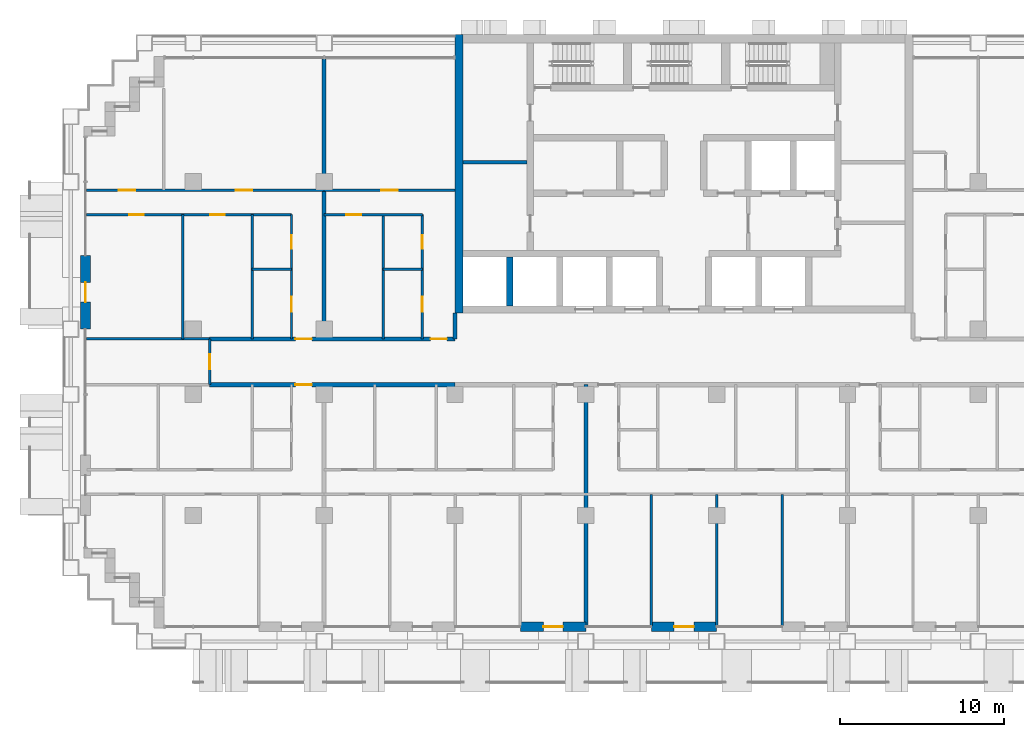
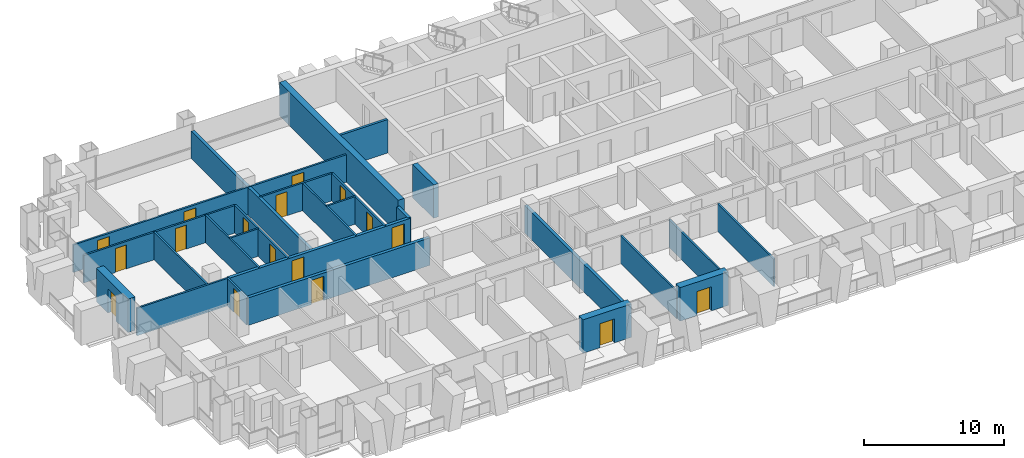
# One storey, part 10 of 19: 27 walls, 17 doors, 17 openings.
"""IFC4 building model written with IfcOpenShell, lengths in metres."""

import ifcopenshell
import ifcopenshell.guid

model = None  # the IFC model being written
_history = None  # IfcOwnerHistory: only IFC2X3 demands one
_inside = {}  # id of a spatial element -> (the spatial element, [elements in it])
_under = {}  # id of a project, library or spatial element -> (it, [spatial elements below it])
_declared = {}  # id of a project -> (the project, [libraries it declares])
_typed = {}  # id of a type object -> (the type object, [elements of that type])
_made_of = {}  # id of a material, layer set ... -> (it, [elements and type objects made of it])


def new_model(schema):
    """Start an empty IFC model of exactly this schema.

    Asked for "IFC4X3", IfcOpenShell would pick the latest addendum, in which some entities
    have other attributes; the version numbers below select the first issue.
    IFC2X3 requires an IfcOwnerHistory on every rooted entity: one is made here for all.
    """
    global model, _history
    if schema == "IFC4X3":
        model = ifcopenshell.file(schema_version=(4, 3, 0, 0))
    else:
        model = ifcopenshell.file(schema=schema)
    _inside.clear()
    _under.clear()
    _declared.clear()
    _typed.clear()
    _made_of.clear()
    _history = None
    if model.schema == "IFC2X3":
        org = make("IfcOrganization", Name="unknown")
        user = make(
            "IfcPersonAndOrganization",
            ThePerson=make("IfcPerson", FamilyName="unknown"),
            TheOrganization=org,
        )
        app = make(
            "IfcApplication",
            ApplicationDeveloper=org,
            Version="unknown",
            ApplicationFullName="unknown",
            ApplicationIdentifier="unknown",
        )
        _history = make(
            "IfcOwnerHistory",
            OwningUser=user,
            OwningApplication=app,
            ChangeAction="ADDED",
            CreationDate=0,
        )
    return model


def make(cls, **values):
    """One entity of the class cls with the attributes given. An attribute that is None is left unset."""
    return model.create_entity(
        cls, **{name: value for name, value in values.items() if value is not None}
    )


def rooted(cls, **values):
    """An entity with a GlobalId (a new one), such as an element, a storey or a relation."""
    return make(cls, GlobalId=ifcopenshell.guid.new(), OwnerHistory=_history, **values)


def si_unit(unit_type, name, prefix=None):
    """IfcSIUnit, for example si_unit("LENGTHUNIT", "METRE", prefix="MILLI")."""
    return make("IfcSIUnit", UnitType=unit_type, Prefix=prefix, Name=name)


def assignment(units):
    """IfcUnitAssignment: the units of a project."""
    return None if units is None else make("IfcUnitAssignment", Units=units)


def point(xyz):
    """IfcCartesianPoint."""
    return None if xyz is None else make("IfcCartesianPoint", Coordinates=xyz)


def direction(xyz):
    """IfcDirection."""
    return None if xyz is None else make("IfcDirection", DirectionRatios=xyz)


def frame(location, z_axis=None, x_axis=None):
    """IfcAxis2Placement3D, a coordinate frame: its origin and axes. An axis left out is left unset."""
    return make(
        "IfcAxis2Placement3D",
        Location=point(location),
        Axis=direction(z_axis),
        RefDirection=direction(x_axis),
    )


def frame_2d(location, x_axis=None):
    """IfcAxis2Placement2D, a coordinate frame in the plane: its origin and x axis."""
    return make(
        "IfcAxis2Placement2D", Location=point(location), RefDirection=direction(x_axis)
    )


def origin():
    """The frame at (0, 0, 0) with its axes left unset."""
    return frame((0.0, 0.0, 0.0))


def place(relative_to, where):
    """IfcLocalPlacement: puts the frame where relative to a parent placement (None: the world)."""
    return make(
        "IfcLocalPlacement", PlacementRelTo=relative_to, RelativePlacement=where
    )


def context(
    kind, dimensions, precision=None, world=None, true_north=None, identifier=None
):
    """IfcGeometricRepresentationContext, for example the 3D "Model" context."""
    return make(
        "IfcGeometricRepresentationContext",
        ContextIdentifier=identifier,
        ContextType=kind,
        CoordinateSpaceDimension=dimensions,
        Precision=precision,
        WorldCoordinateSystem=world,
        TrueNorth=true_north,
    )


def subcontext(parent, identifier, kind, view, scale=None):
    """IfcGeometricRepresentationSubContext, for example "Body" below "Model"."""
    return make(
        "IfcGeometricRepresentationSubContext",
        ContextIdentifier=identifier,
        ContextType=kind,
        ParentContext=parent,
        TargetScale=scale,
        TargetView=view,
    )


def project(units=None, contexts=None):
    """IfcProject with its units and contexts."""
    return rooted(
        "IfcProject",
        Name="project",
        RepresentationContexts=contexts,
        UnitsInContext=assignment(units),
    )


def spatial(cls, under=None, at=None, **own):
    """A site, building, storey or space (cls), placed at a placement, below another one or the project."""
    s = rooted(cls, ObjectPlacement=at, **own)
    if under is not None:
        _under.setdefault(under.id(), (under, []))[1].append(s)
    return s


def profile(cls, at=None, kind="AREA", **sizes):
    """A parametric profile (cls). Its sizes go by their IFC names, for example OverallWidth=200.0."""
    return make(cls, ProfileType=kind, Position=at, **sizes)


def rectangle(**sizes):
    """IfcRectangleProfileDef."""
    return profile("IfcRectangleProfileDef", **sizes)


def extrude(swept, where, along, depth):
    """IfcExtrudedAreaSolid: the profile swept, set in the frame where, extruded along a direction by depth."""
    return make(
        "IfcExtrudedAreaSolid",
        SweptArea=swept,
        Position=where,
        ExtrudedDirection=direction(along),
        Depth=depth,
    )


def shape(context_of_items, identifier, shape_type, items):
    """IfcShapeRepresentation: the items that make up one representation, for example the "Body"."""
    return make(
        "IfcShapeRepresentation",
        ContextOfItems=context_of_items,
        RepresentationIdentifier=identifier,
        RepresentationType=shape_type,
        Items=items,
    )


def material(Name=None, Category=None):
    """IfcMaterial."""
    return make("IfcMaterial", Name=Name, Category=Category)


def layer(
    of_material, thickness, ventilated=None, Name=None, Category=None, Priority=None
):
    """IfcMaterialLayer: one layer of a wall or slab, of a material (None: an air gap)."""
    return make(
        "IfcMaterialLayer",
        Material=of_material,
        LayerThickness=thickness,
        IsVentilated=ventilated,
        Name=Name,
        Category=Category,
        Priority=Priority,
    )


def layer_set(layers, Name=None):
    """IfcMaterialLayerSet."""
    return make("IfcMaterialLayerSet", MaterialLayers=layers, LayerSetName=Name)


def made_of(thing, what):
    """Note that an element or type object is made of a material, layer set ...; save() writes the relation."""
    if what is not None:
        _made_of.setdefault(what.id(), (what, []))[1].append(thing)
    return thing


def type_object(cls, material=None, **own):
    """A type object (cls), such as IfcWallType, which elements share."""
    return made_of(rooted(cls, **own), material)


def element(
    cls,
    number,
    at=None,
    inside=None,
    cuts=None,
    type_object=None,
    material=None,
    context=None,
    identifier="Body",
    shape_type=None,
    held_by="IfcProductDefinitionShape",
    body=None,
    shapes=None,
    **own,
):
    """One element of the class cls, such as IfcWall. Its Tag is "e" and its number.

    at: its placement. inside: the storey or other place that contains it. cuts: it is an
    opening in that element (IfcRelVoidsElement). A single representation is given by context,
    identifier, shape_type and body (its items); several are given by shapes. held_by: the class
    of the entity that holds the representations. save() writes the other relations.
    """
    e = rooted(cls, Tag="e%d" % number, ObjectPlacement=at, **own)
    if body is not None:
        shapes = [shape(context, identifier, shape_type, body)]
    if shapes is not None:
        e.Representation = make(held_by, Representations=shapes)
    if inside is not None:
        _inside.setdefault(inside.id(), (inside, []))[1].append(e)
    if cuts is not None:
        rooted(
            "IfcRelVoidsElement", RelatingBuildingElement=cuts, RelatedOpeningElement=e
        )
    if type_object is not None:
        _typed.setdefault(type_object.id(), (type_object, []))[1].append(e)
    return made_of(e, material)


def fill(opening, filler):
    """IfcRelFillsElement: the door or window that sits in an opening."""
    return rooted(
        "IfcRelFillsElement",
        RelatingOpeningElement=opening,
        RelatedBuildingElement=filler,
    )


def aggregate(whole, parts):
    """IfcRelAggregates: a whole, such as a stair, and the parts it consists of."""
    return rooted("IfcRelAggregates", RelatingObject=whole, RelatedObjects=parts)


def save(model, path):
    """Write the relations noted so far, then the file.

    IfcRelAggregates (storeys below a building ...), IfcRelContainedInSpatialStructure (elements
    in a storey), IfcRelDefinesByType, IfcRelAssociatesMaterial and IfcRelDeclares: one each for
    every whole, place, type object, material and project.
    """
    for whole, parts in _under.values():
        aggregate(whole, parts)
    for where, things in _inside.values():
        rooted(
            "IfcRelContainedInSpatialStructure",
            RelatedElements=things,
            RelatingStructure=where,
        )
    for kind, things in _typed.values():
        rooted("IfcRelDefinesByType", RelatedObjects=things, RelatingType=kind)
    for what, things in _made_of.values():
        rooted("IfcRelAssociatesMaterial", RelatedObjects=things, RelatingMaterial=what)
    for by, libraries in _declared.values():
        rooted("IfcRelDeclares", RelatingContext=by, RelatedDefinitions=libraries)
    model.write(path)


model = new_model("IFC4")

# Units and contexts
model_context = context("Model", 3, precision=1e-05, world=origin(), true_north=direction((0.0, 1.0)))
body_context = subcontext(model_context, "Body", "Model", "MODEL_VIEW")
ifc_project = project(units=[si_unit("LENGTHUNIT", "METRE"), si_unit("AREAUNIT", "SQUARE_METRE"), si_unit("VOLUMEUNIT", "CUBIC_METRE"), si_unit("PLANEANGLEUNIT", "RADIAN"), si_unit("MASSUNIT", "GRAM", prefix="KILO")], contexts=[model_context])

# Site, building, storey
site_placement = place(None, origin())
site = spatial("IfcSite", under=ifc_project, at=site_placement, CompositionType="ELEMENT")
building_placement = place(site_placement, origin())
building = spatial("IfcBuilding", under=site, at=building_placement, Name="Vidyagriha Tower", CompositionType="ELEMENT")
storey_placement = place(building_placement, frame((0.0, 0.0, 57.60009765625)))
storey = spatial("IfcBuildingStorey", under=building, at=storey_placement, Name="L15", CompositionType="ELEMENT", Elevation=57.60009765625)

# Wall, opening, door
ifc_material_1 = material(Name="Precast concrete C40/50 with brick facing", Category="concrete")
ifc_layer_1 = layer(ifc_material_1, 0.60009765625)
ifc_layer_set_1 = layer_set([ifc_layer_1], Name="Precast concrete C40/50 with brick facing")
wall_type_1 = type_object("IfcWallType", Name="Brick-faced precast wall 600", PredefinedType="STANDARD", material=ifc_layer_set_1)
wall_1_placement = place(storey_placement, frame((-36.60009765625, 6.5, 0.0), z_axis=(0.0, 0.0, 1.0), x_axis=(0.0, -1.0, 0.0)))
wall_1 = element("IfcWall", 1, at=wall_1_placement, inside=storey, type_object=wall_type_1, Name="Brick door bay wall L15 R16.3", PredefinedType="STANDARD", context=body_context, shape_type="SweptSolid", body=[
    extrude(rectangle(XDim=4.5, YDim=0.60009765625, at=frame_2d((2.25, 0.0))), origin(), (0.0, 0.0, 1.0), 2.919921875),
])
opening_1_placement = place(wall_1_placement, frame((1.64990234375, 0.0, 0.0)))
opening_1 = element("IfcOpeningElement", 2, at=opening_1_placement, cuts=wall_1, Name="Opening D15-82", PredefinedType="OPENING", context=body_context, shape_type="SweptSolid", body=[
    extrude(rectangle(XDim=1.199951171875, YDim=2.10009765625, at=frame_2d((0.60009765625, 1.050048828125))), frame((0.0, 0.31005859375, 0.0), z_axis=(0.0, -1.0, 0.0), x_axis=(1.0, 0.0, 0.0)), (0.0, 0.0, 1.0), 0.6201171875),
])
ifc_material_2 = material(Name="Aluminium framed glazed sliding door", Category="aluminium")
door_type_1 = type_object("IfcDoorType", Name="Balcony sliding door 1200x2100", OperationType="NOTDEFINED", PredefinedType="DOOR", material=ifc_material_2)
door_1_placement = place(opening_1_placement, origin())
door_1 = element("IfcDoor", 3, at=door_1_placement, inside=storey, type_object=door_type_1, Name="Door D15-82", OperationType="SLIDING_TO_LEFT", OverallHeight=2.10009765625, OverallWidth=1.199951171875, PredefinedType="DOOR", context=body_context, shape_type="SweptSolid", body=[
    extrude(rectangle(XDim=1.199951171875, YDim=2.10009765625, at=frame_2d((0.60009765625, 1.050048828125))), frame((0.0, 0.02490234375, 0.0), z_axis=(0.0, -1.0, 0.0), x_axis=(1.0, 0.0, 0.0)), (0.0, 0.0, 1.0), 0.050048828125),
])
fill(opening_1, door_1)

wall_2_placement = place(storey_placement, frame((-10.0, -16.199951171875, 0.0)))
wall_2 = element("IfcWall", 4, at=wall_2_placement, inside=storey, type_object=wall_type_1, Name="Brick door bay wall L15 R23.7", PredefinedType="STANDARD", context=body_context, shape_type="SweptSolid", body=[
    extrude(rectangle(XDim=4.0, YDim=0.60009765625, at=frame_2d((2.0, 0.0))), origin(), (0.0, 0.0, 1.0), 2.919921875),
])
opening_2_placement = place(wall_2_placement, frame((1.39990234375, 0.0, 0.0)))
opening_2 = element("IfcOpeningElement", 5, at=opening_2_placement, cuts=wall_2, Name="Opening D15-86", PredefinedType="OPENING", context=body_context, shape_type="SweptSolid", body=[
    extrude(rectangle(XDim=1.199951171875, YDim=2.10009765625, at=frame_2d((0.60009765625, 1.050048828125))), frame((0.0, 0.31005859375, 0.0), z_axis=(0.0, -1.0, 0.0), x_axis=(1.0, 0.0, 0.0)), (0.0, 0.0, 1.0), 0.6201171875),
])
door_2_placement = place(opening_2_placement, origin())
door_2 = element("IfcDoor", 6, at=door_2_placement, inside=storey, type_object=door_type_1, Name="Door D15-86", OperationType="SLIDING_TO_LEFT", OverallHeight=2.10009765625, OverallWidth=1.199951171875, PredefinedType="DOOR", context=body_context, shape_type="SweptSolid", body=[
    extrude(rectangle(XDim=1.199951171875, YDim=2.10009765625, at=frame_2d((0.60009765625, 1.050048828125))), frame((0.0, 0.02490234375, 0.0), z_axis=(0.0, -1.0, 0.0), x_axis=(1.0, 0.0, 0.0)), (0.0, 0.0, 1.0), 0.050048828125),
])
fill(opening_2, door_2)

wall_3_placement = place(storey_placement, frame((-2.0, -16.199951171875, 0.0)))
wall_3 = element("IfcWall", 7, at=wall_3_placement, inside=storey, type_object=wall_type_1, Name="Brick door bay wall L15 R23.9", PredefinedType="STANDARD", context=body_context, shape_type="SweptSolid", body=[
    extrude(rectangle(XDim=4.0, YDim=0.60009765625, at=frame_2d((2.0, 0.0))), origin(), (0.0, 0.0, 1.0), 2.919921875),
])
opening_3_placement = place(wall_3_placement, frame((1.39990234375, 0.0, 0.0)))
opening_3 = element("IfcOpeningElement", 8, at=opening_3_placement, cuts=wall_3, Name="Opening D15-87", PredefinedType="OPENING", context=body_context, shape_type="SweptSolid", body=[
    extrude(rectangle(XDim=1.199951171875, YDim=2.10009765625, at=frame_2d((0.60009765625, 1.050048828125))), frame((0.0, 0.31005859375, 0.0), z_axis=(0.0, -1.0, 0.0), x_axis=(1.0, 0.0, 0.0)), (0.0, 0.0, 1.0), 0.6201171875),
])
door_3_placement = place(opening_3_placement, origin())
door_3 = element("IfcDoor", 9, at=door_3_placement, inside=storey, type_object=door_type_1, Name="Door D15-87", OperationType="SLIDING_TO_LEFT", OverallHeight=2.10009765625, OverallWidth=1.199951171875, PredefinedType="DOOR", context=body_context, shape_type="SweptSolid", body=[
    extrude(rectangle(XDim=1.199951171875, YDim=2.10009765625, at=frame_2d((0.60009765625, 1.050048828125))), frame((0.0, 0.02490234375, 0.0), z_axis=(0.0, -1.0, 0.0), x_axis=(1.0, 0.0, 0.0)), (0.0, 0.0, 1.0), 0.050048828125),
])
fill(opening_3, door_3)

# Walls
ifc_material_3 = material(Name="Concrete C60/75", Category="concrete")
ifc_layer_2 = layer(ifc_material_3, 0.39990234375)
ifc_layer_set_2 = layer_set([ifc_layer_2], Name="Concrete C60/75")
wall_type_2 = type_object("IfcWallType", Name="Core shear wall 400 mm", PredefinedType="SHEAR", material=ifc_layer_set_2)
wall_4_placement = place(storey_placement, frame((-10.655517578125, 3.39990234375, 0.0), z_axis=(0.0, 0.0, 1.0), x_axis=(0.0, 1.0, 0.0)))
element("IfcWall", 10, at=wall_4_placement, inside=storey, type_object=wall_type_2, Name="Core bay wall S1", PredefinedType="SHEAR", context=body_context, shape_type="SweptSolid", body=[
    extrude(rectangle(XDim=3.0, YDim=0.39990234375, at=frame_2d((1.5, 0.0))), origin(), (0.0, 0.0, 1.0), 2.919921875),
])
ifc_material_4 = material(Name="Concrete C60/75", Category="concrete")
ifc_layer_3 = layer(ifc_material_4, 0.5)
ifc_layer_set_3 = layer_set([ifc_layer_3], Name="Concrete C60/75")
wall_type_3 = type_object("IfcWallType", Name="Core shear wall 500 mm", PredefinedType="SHEAR", material=ifc_layer_set_3)
wall_5_placement = place(storey_placement, frame((-13.75, 3.0, 0.0), z_axis=(0.0, 0.0, 1.0), x_axis=(0.0, 1.0, 0.0)))
element("IfcWall", 11, at=wall_5_placement, inside=storey, type_object=wall_type_3, Name="Core west wall", PredefinedType="SHEAR", context=body_context, shape_type="SweptSolid", body=[
    extrude(rectangle(XDim=17.0, YDim=0.5, at=frame_2d((8.5, 0.0))), origin(), (0.0, 0.0, 1.0), 2.919921875),
])

# Wall, opening, door
ifc_material_5 = material(Name="Fired clay brick masonry", Category="masonry")
ifc_layer_4 = layer(ifc_material_5, 0.25)
ifc_layer_set_4 = layer_set([ifc_layer_4], Name="Fired clay brick masonry")
wall_type_4 = type_object("IfcWallType", Name="Fired clay brick corridor wall 250", PredefinedType="PARTITIONING", material=ifc_layer_set_4)
wall_6_placement = place(storey_placement, frame((-14.0, -1.39990234375, 0.0), z_axis=(0.0, 0.0, 1.0), x_axis=(-1.0, 0.0, 0.0)))
wall_6 = element("IfcWall", 12, at=wall_6_placement, inside=storey, type_object=wall_type_4, Name="Wall all-L15-w093", PredefinedType="PARTITIONING", context=body_context, shape_type="SweptSolid", body=[
    extrude(rectangle(XDim=15.0, YDim=0.25, at=frame_2d((7.5, 0.0))), origin(), (0.0, 0.0, 1.0), 2.39990234375),
])
opening_4_placement = place(wall_6_placement, frame((8.760009765625, 0.0, 0.0)))
opening_4 = element("IfcOpeningElement", 13, at=opening_4_placement, cuts=wall_6, Name="Opening D15-21", PredefinedType="OPENING", context=body_context, shape_type="SweptSolid", body=[
    extrude(rectangle(XDim=1.0, YDim=2.10009765625, at=frame_2d((0.5, 1.050048828125))), frame((0.0, 0.135009765625, 0.0), z_axis=(0.0, -1.0, 0.0), x_axis=(1.0, 0.0, 0.0)), (0.0, 0.0, 1.0), 0.27001953125),
])
ifc_material_6 = material(Name="Fire-rated timber door leaf EI 60", Category="wood")
door_type_2 = type_object("IfcDoorType", Name="Flat entrance fire door 1000x2100", OperationType="NOTDEFINED", PredefinedType="DOOR", material=ifc_material_6)
door_4_placement = place(opening_4_placement, origin())
door_4 = element("IfcDoor", 14, at=door_4_placement, inside=storey, type_object=door_type_2, Name="Door D15-21", OperationType="SINGLE_SWING_LEFT", OverallHeight=2.10009765625, OverallWidth=1.0, PredefinedType="DOOR", context=body_context, shape_type="SweptSolid", body=[
    extrude(rectangle(XDim=1.0, YDim=2.10009765625, at=frame_2d((0.5, 1.050048828125))), frame((0.0, 0.02490234375, 0.0), z_axis=(0.0, -1.0, 0.0), x_axis=(1.0, 0.0, 0.0)), (0.0, 0.0, 1.0), 0.050048828125),
])
fill(opening_4, door_4)

# Wall, openings, doors
wall_7_placement = place(storey_placement, frame((-29.0, 1.39990234375, 0.0)))
wall_7 = element("IfcWall", 15, at=wall_7_placement, inside=storey, type_object=wall_type_4, Name="Wall all-L15-w122", PredefinedType="PARTITIONING", context=body_context, shape_type="SweptSolid", body=[
    extrude(rectangle(XDim=15.0, YDim=0.25, at=frame_2d((7.5, 0.0))), origin(), (0.0, 0.0, 1.0), 2.39990234375),
])
opening_5_placement = place(wall_7_placement, frame((5.239990234375, 0.0, 0.0)))
opening_5 = element("IfcOpeningElement", 16, at=opening_5_placement, cuts=wall_7, Name="Opening D15-64", PredefinedType="OPENING", context=body_context, shape_type="SweptSolid", body=[
    extrude(rectangle(XDim=1.0, YDim=2.10009765625, at=frame_2d((0.5, 1.050048828125))), frame((0.0, 0.135009765625, 0.0), z_axis=(0.0, -1.0, 0.0), x_axis=(1.0, 0.0, 0.0)), (0.0, 0.0, 1.0), 0.27001953125),
])
opening_6_placement = place(wall_7_placement, frame((13.5, 0.0, 0.0)))
opening_6 = element("IfcOpeningElement", 17, at=opening_6_placement, cuts=wall_7, Name="Opening D15-69", PredefinedType="OPENING", context=body_context, shape_type="SweptSolid", body=[
    extrude(rectangle(XDim=1.0, YDim=2.10009765625, at=frame_2d((0.5, 1.050048828125))), frame((0.0, 0.135009765625, 0.0), z_axis=(0.0, -1.0, 0.0), x_axis=(1.0, 0.0, 0.0)), (0.0, 0.0, 1.0), 0.27001953125),
])
door_5_placement = place(opening_5_placement, origin())
door_5 = element("IfcDoor", 18, at=door_5_placement, inside=storey, type_object=door_type_2, Name="Door D15-64", OperationType="SINGLE_SWING_RIGHT", OverallHeight=2.10009765625, OverallWidth=1.0, PredefinedType="DOOR", context=body_context, shape_type="SweptSolid", body=[
    extrude(rectangle(XDim=1.0, YDim=2.10009765625, at=frame_2d((0.5, 1.050048828125))), frame((0.0, 0.02490234375, 0.0), z_axis=(0.0, -1.0, 0.0), x_axis=(1.0, 0.0, 0.0)), (0.0, 0.0, 1.0), 0.050048828125),
])
fill(opening_5, door_5)
door_6_placement = place(opening_6_placement, origin())
door_6 = element("IfcDoor", 19, at=door_6_placement, inside=storey, type_object=door_type_2, Name="Door D15-69", OperationType="SINGLE_SWING_RIGHT", OverallHeight=2.10009765625, OverallWidth=1.0, PredefinedType="DOOR", context=body_context, shape_type="SweptSolid", body=[
    extrude(rectangle(XDim=1.0, YDim=2.10009765625, at=frame_2d((0.5, 1.050048828125))), frame((0.0, 0.02490234375, 0.0), z_axis=(0.0, -1.0, 0.0), x_axis=(1.0, 0.0, 0.0)), (0.0, 0.0, 1.0), 0.050048828125),
])
fill(opening_6, door_6)

# Walls
wall_8_placement = place(storey_placement, frame((-14.0, 3.0, 0.0), z_axis=(0.0, 0.0, 1.0), x_axis=(0.0, -1.0, 0.0)))
element("IfcWall", 20, at=wall_8_placement, inside=storey, type_object=wall_type_4, Name="Wall all-L15-w152", PredefinedType="PARTITIONING", context=body_context, shape_type="SweptSolid", body=[
    extrude(rectangle(XDim=1.60009765625, YDim=0.25, at=frame_2d((0.800048828125, 0.0))), origin(), (0.0, 0.0, 1.0), 2.39990234375),
])
ifc_material_7 = material(Name="Fired clay brick masonry", Category="masonry")
ifc_layer_5 = layer(ifc_material_7, 0.25)
ifc_layer_set_5 = layer_set([ifc_layer_5], Name="Fired clay brick masonry")
wall_type_5 = type_object("IfcWallType", Name="Fired clay brick demising wall 250", PredefinedType="PARTITIONING", material=ifc_layer_set_5)
wall_9_placement = place(storey_placement, frame((-6.0, -1.39990234375, 0.0), z_axis=(0.0, 0.0, 1.0), x_axis=(0.0, -1.0, 0.0)))
element("IfcWall", 21, at=wall_9_placement, inside=storey, type_object=wall_type_5, Name="Wall all-L15-w058", PredefinedType="PARTITIONING", context=body_context, shape_type="SweptSolid", body=[
    extrude(rectangle(XDim=14.710205078125, YDim=0.25, at=frame_2d((7.35498046875, 0.0))), origin(), (0.0, 0.0, 1.0), 2.39990234375),
])
wall_10_placement = place(storey_placement, frame((-22.0, 18.52099609375, 0.0), z_axis=(0.0, 0.0, 1.0), x_axis=(0.0, -1.0, 0.0)))
element("IfcWall", 22, at=wall_10_placement, inside=storey, type_object=wall_type_5, Name="Wall all-L15-w121", PredefinedType="PARTITIONING", context=body_context, shape_type="SweptSolid", body=[
    extrude(rectangle(XDim=17.12109375, YDim=0.25, at=frame_2d((8.560546875, 0.0))), origin(), (0.0, 0.0, 1.0), 2.39990234375),
])
ifc_material_8 = material(Name="Gypsum board partition")
ifc_layer_6 = layer(ifc_material_8, 0.14990234375)
ifc_layer_set_6 = layer_set([ifc_layer_6], Name="Gypsum board partition")
wall_type_6 = type_object("IfcWallType", Name="Gypsum board partition 150", PredefinedType="PARTITIONING", material=ifc_layer_set_6)
wall_11_placement = place(storey_placement, frame((-2.0, -8.10009765625, 0.0), z_axis=(0.0, 0.0, 1.0), x_axis=(0.0, -1.0, 0.0)))
element("IfcWall", 23, at=wall_11_placement, inside=storey, type_object=wall_type_6, Name="Wall all-L15-w054", PredefinedType="PARTITIONING", context=body_context, shape_type="SweptSolid", body=[
    extrude(rectangle(XDim=8.02099609375, YDim=0.14990234375, at=frame_2d((4.010498046875, 0.0))), origin(), (0.0, 0.0, 1.0), 2.39990234375),
])
wall_12_placement = place(storey_placement, frame((2.0, -8.10009765625, 0.0), z_axis=(0.0, 0.0, 1.0), x_axis=(0.0, -1.0, 0.0)))
element("IfcWall", 24, at=wall_12_placement, inside=storey, type_object=wall_type_6, Name="Wall all-L15-w055", PredefinedType="PARTITIONING", context=body_context, shape_type="SweptSolid", body=[
    extrude(rectangle(XDim=8.010009765625, YDim=0.14990234375, at=frame_2d((4.0048828125, 0.0))), origin(), (0.0, 0.0, 1.0), 2.39990234375),
])
wall_13_placement = place(storey_placement, frame((6.0, -8.10009765625, 0.0), z_axis=(0.0, 0.0, 1.0), x_axis=(0.0, -1.0, 0.0)))
element("IfcWall", 25, at=wall_13_placement, inside=storey, type_object=wall_type_6, Name="Wall all-L15-w056", PredefinedType="PARTITIONING", context=body_context, shape_type="SweptSolid", body=[
    extrude(rectangle(XDim=8.02099609375, YDim=0.14990234375, at=frame_2d((4.010498046875, 0.0))), origin(), (0.0, 0.0, 1.0), 2.39990234375),
])
wall_14_placement = place(storey_placement, frame((-26.39990234375, 5.64990234375, 0.0)))
element("IfcWall", 26, at=wall_14_placement, inside=storey, type_object=wall_type_6, Name="Wall all-L15-w100", PredefinedType="PARTITIONING", context=body_context, shape_type="SweptSolid", body=[
    extrude(rectangle(XDim=2.39990234375, YDim=0.14990234375, at=frame_2d((1.199951171875, 0.0))), origin(), (0.0, 0.0, 1.0), 2.39990234375),
])
for number, where, z_axis, x_axis, name in (
    (27, (-26.39990234375, 1.39990234375, 0.0), (0.0, 0.0, 1.0), (0.0, 1.0, 0.0), "Wall all-L15-w101"),
    (28, (-30.64990234375, 1.39990234375, 0.0), (0.0, 0.0, 1.0), (0.0, 1.0, 0.0), "Wall all-L15-w102"),
):
    element("IfcWall", number, at=place(storey_placement, frame(where, z_axis=z_axis, x_axis=x_axis)), inside=storey, type_object=wall_type_6, Name=name, PredefinedType="PARTITIONING", context=body_context, shape_type="SweptSolid", body=[
        extrude(rectangle(XDim=7.60009765625, YDim=0.14990234375, at=frame_2d((3.800048828125, 0.0))), origin(), (0.0, 0.0, 1.0), 2.39990234375),
    ])

# Wall, openings, doors
wall_15_placement = place(storey_placement, frame((-24.0, 9.0, 0.0), z_axis=(0.0, 0.0, 1.0), x_axis=(-1.0, 0.0, 0.0)))
wall_15 = element("IfcWall", 29, at=wall_15_placement, inside=storey, type_object=wall_type_6, Name="Wall all-L15-w103", PredefinedType="PARTITIONING", context=body_context, shape_type="SweptSolid", body=[
    extrude(rectangle(XDim=12.52001953125, YDim=0.14990234375, at=frame_2d((6.260009765625, 0.0))), origin(), (0.0, 0.0, 1.0), 2.39990234375),
])
opening_7_placement = place(wall_15_placement, frame((4.074951171875, 0.0, 0.0)))
opening_7 = element("IfcOpeningElement", 30, at=opening_7_placement, cuts=wall_15, Name="Opening D15-60", PredefinedType="OPENING", context=body_context, shape_type="SweptSolid", body=[
    extrude(rectangle(XDim=0.89990234375, YDim=2.10009765625, at=frame_2d((0.449951171875, 1.050048828125))), frame((0.0, 0.0849609375, 0.0), z_axis=(0.0, -1.0, 0.0), x_axis=(1.0, 0.0, 0.0)), (0.0, 0.0, 1.0), 0.169921875),
])
opening_8_placement = place(wall_15_placement, frame((9.02490234375, 0.0, 0.0)))
opening_8 = element("IfcOpeningElement", 31, at=opening_8_placement, cuts=wall_15, Name="Opening D15-61", PredefinedType="OPENING", context=body_context, shape_type="SweptSolid", body=[
    extrude(rectangle(XDim=0.89990234375, YDim=2.10009765625, at=frame_2d((0.449951171875, 1.050048828125))), frame((0.0, 0.0849609375, 0.0), z_axis=(0.0, -1.0, 0.0), x_axis=(1.0, 0.0, 0.0)), (0.0, 0.0, 1.0), 0.169921875),
])
ifc_material_9 = material(Name="Timber door leaf", Category="wood")
door_type_3 = type_object("IfcDoorType", Name="Room door 900x2100", OperationType="NOTDEFINED", PredefinedType="DOOR", material=ifc_material_9)
door_7_placement = place(opening_7_placement, origin())
door_7 = element("IfcDoor", 32, at=door_7_placement, inside=storey, type_object=door_type_3, Name="Door D15-60", OperationType="SINGLE_SWING_RIGHT", OverallHeight=2.10009765625, OverallWidth=0.89990234375, PredefinedType="DOOR", context=body_context, shape_type="SweptSolid", body=[
    extrude(rectangle(XDim=0.89990234375, YDim=2.10009765625, at=frame_2d((0.449951171875, 1.050048828125))), frame((0.0, 0.02490234375, 0.0), z_axis=(0.0, -1.0, 0.0), x_axis=(1.0, 0.0, 0.0)), (0.0, 0.0, 1.0), 0.050048828125),
])
fill(opening_7, door_7)
door_8_placement = place(opening_8_placement, origin())
door_8 = element("IfcDoor", 33, at=door_8_placement, inside=storey, type_object=door_type_3, Name="Door D15-61", OperationType="SINGLE_SWING_RIGHT", OverallHeight=2.10009765625, OverallWidth=0.89990234375, PredefinedType="DOOR", context=body_context, shape_type="SweptSolid", body=[
    extrude(rectangle(XDim=0.89990234375, YDim=2.10009765625, at=frame_2d((0.449951171875, 1.050048828125))), frame((0.0, 0.02490234375, 0.0), z_axis=(0.0, -1.0, 0.0), x_axis=(1.0, 0.0, 0.0)), (0.0, 0.0, 1.0), 0.050048828125),
])
fill(opening_8, door_8)

wall_16_placement = place(storey_placement, frame((-36.52001953125, 10.5, 0.0)))
wall_16 = element("IfcWall", 34, at=wall_16_placement, inside=storey, type_object=wall_type_6, Name="Wall all-L15-w106", PredefinedType="PARTITIONING", context=body_context, shape_type="SweptSolid", body=[
    extrude(rectangle(XDim=14.52001953125, YDim=0.14990234375, at=frame_2d((7.260009765625, 0.0))), origin(), (0.0, 0.0, 1.0), 2.39990234375),
])
opening_9_placement = place(wall_16_placement, frame((1.969970703125, 0.0, 0.0)))
opening_9 = element("IfcOpeningElement", 35, at=opening_9_placement, cuts=wall_16, Name="Opening D15-62", PredefinedType="OPENING", context=body_context, shape_type="SweptSolid", body=[
    extrude(rectangle(XDim=1.0, YDim=2.10009765625, at=frame_2d((0.5, 1.050048828125))), frame((0.0, 0.0849609375, 0.0), z_axis=(0.0, -1.0, 0.0), x_axis=(1.0, 0.0, 0.0)), (0.0, 0.0, 1.0), 0.169921875),
])
opening_10_placement = place(wall_16_placement, frame((9.1201171875, 0.0, 0.0)))
opening_10 = element("IfcOpeningElement", 36, at=opening_10_placement, cuts=wall_16, Name="Opening D15-63", PredefinedType="OPENING", context=body_context, shape_type="SweptSolid", body=[
    extrude(rectangle(XDim=1.0, YDim=2.10009765625, at=frame_2d((0.5, 1.050048828125))), frame((0.0, 0.0849609375, 0.0), z_axis=(0.0, -1.0, 0.0), x_axis=(1.0, 0.0, 0.0)), (0.0, 0.0, 1.0), 0.169921875),
])
ifc_material_10 = material(Name="Timber door leaf", Category="wood")
door_type_4 = type_object("IfcDoorType", Name="Room door 1000x2100", OperationType="NOTDEFINED", PredefinedType="DOOR", material=ifc_material_10)
door_9_placement = place(opening_9_placement, origin())
door_9 = element("IfcDoor", 37, at=door_9_placement, inside=storey, type_object=door_type_4, Name="Door D15-62", OperationType="SINGLE_SWING_RIGHT", OverallHeight=2.10009765625, OverallWidth=1.0, PredefinedType="DOOR", context=body_context, shape_type="SweptSolid", body=[
    extrude(rectangle(XDim=1.0, YDim=2.10009765625, at=frame_2d((0.5, 1.050048828125))), frame((0.0, 0.02490234375, 0.0), z_axis=(0.0, -1.0, 0.0), x_axis=(1.0, 0.0, 0.0)), (0.0, 0.0, 1.0), 0.050048828125),
])
fill(opening_9, door_9)
door_10_placement = place(opening_10_placement, origin())
door_10 = element("IfcDoor", 38, at=door_10_placement, inside=storey, type_object=door_type_4, Name="Door D15-63", OperationType="SINGLE_SWING_RIGHT", OverallHeight=2.10009765625, OverallWidth=1.0, PredefinedType="DOOR", context=body_context, shape_type="SweptSolid", body=[
    extrude(rectangle(XDim=1.0, YDim=2.10009765625, at=frame_2d((0.5, 1.050048828125))), frame((0.0, 0.02490234375, 0.0), z_axis=(0.0, -1.0, 0.0), x_axis=(1.0, 0.0, 0.0)), (0.0, 0.0, 1.0), 0.050048828125),
])
fill(opening_10, door_10)

# Walls
wall_17_placement = place(storey_placement, frame((-18.39990234375, 5.64990234375, 0.0)))
element("IfcWall", 39, at=wall_17_placement, inside=storey, type_object=wall_type_6, Name="Wall all-L15-w114", PredefinedType="PARTITIONING", context=body_context, shape_type="SweptSolid", body=[
    extrude(rectangle(XDim=2.39990234375, YDim=0.14990234375, at=frame_2d((1.199951171875, 0.0))), origin(), (0.0, 0.0, 1.0), 2.39990234375),
])
wall_18_placement = place(storey_placement, frame((-18.39990234375, 1.39990234375, 0.0), z_axis=(0.0, 0.0, 1.0), x_axis=(0.0, 1.0, 0.0)))
element("IfcWall", 40, at=wall_18_placement, inside=storey, type_object=wall_type_6, Name="Wall all-L15-w115", PredefinedType="PARTITIONING", context=body_context, shape_type="SweptSolid", body=[
    extrude(rectangle(XDim=7.60009765625, YDim=0.14990234375, at=frame_2d((3.800048828125, 0.0))), origin(), (0.0, 0.0, 1.0), 2.39990234375),
])

# Wall, opening, door
wall_19_placement = place(storey_placement, frame((-16.0, 9.0, 0.0), z_axis=(0.0, 0.0, 1.0), x_axis=(-1.0, 0.0, 0.0)))
wall_19 = element("IfcWall", 41, at=wall_19_placement, inside=storey, type_object=wall_type_6, Name="Wall all-L15-w116", PredefinedType="PARTITIONING", context=body_context, shape_type="SweptSolid", body=[
    extrude(rectangle(XDim=6.0, YDim=0.14990234375, at=frame_2d((3.0, 0.0))), origin(), (0.0, 0.0, 1.0), 2.39990234375),
])
opening_11_placement = place(wall_19_placement, frame((3.75, 0.0, 0.0)))
opening_11 = element("IfcOpeningElement", 42, at=opening_11_placement, cuts=wall_19, Name="Opening D15-67", PredefinedType="OPENING", context=body_context, shape_type="SweptSolid", body=[
    extrude(rectangle(XDim=0.89990234375, YDim=2.10009765625, at=frame_2d((0.449951171875, 1.050048828125))), frame((0.0, 0.0849609375, 0.0), z_axis=(0.0, -1.0, 0.0), x_axis=(1.0, 0.0, 0.0)), (0.0, 0.0, 1.0), 0.169921875),
])
door_11_placement = place(opening_11_placement, origin())
door_11 = element("IfcDoor", 43, at=door_11_placement, inside=storey, type_object=door_type_3, Name="Door D15-67", OperationType="SINGLE_SWING_RIGHT", OverallHeight=2.10009765625, OverallWidth=0.89990234375, PredefinedType="DOOR", context=body_context, shape_type="SweptSolid", body=[
    extrude(rectangle(XDim=0.89990234375, YDim=2.10009765625, at=frame_2d((0.449951171875, 1.050048828125))), frame((0.0, 0.02490234375, 0.0), z_axis=(0.0, -1.0, 0.0), x_axis=(1.0, 0.0, 0.0)), (0.0, 0.0, 1.0), 0.050048828125),
])
fill(opening_11, door_11)

wall_20_placement = place(storey_placement, frame((-22.0, 10.5, 0.0)))
wall_20 = element("IfcWall", 44, at=wall_20_placement, inside=storey, type_object=wall_type_6, Name="Wall all-L15-w118", PredefinedType="PARTITIONING", context=body_context, shape_type="SweptSolid", body=[
    extrude(rectangle(XDim=8.0, YDim=0.14990234375, at=frame_2d((4.0, 0.0))), origin(), (0.0, 0.0, 1.0), 2.39990234375),
])
opening_12_placement = place(wall_20_placement, frame((3.5, 0.0, 0.0)))
opening_12 = element("IfcOpeningElement", 45, at=opening_12_placement, cuts=wall_20, Name="Opening D15-68", PredefinedType="OPENING", context=body_context, shape_type="SweptSolid", body=[
    extrude(rectangle(XDim=1.0, YDim=2.10009765625, at=frame_2d((0.5, 1.050048828125))), frame((0.0, 0.0849609375, 0.0), z_axis=(0.0, -1.0, 0.0), x_axis=(1.0, 0.0, 0.0)), (0.0, 0.0, 1.0), 0.169921875),
])
door_12_placement = place(opening_12_placement, origin())
door_12 = element("IfcDoor", 46, at=door_12_placement, inside=storey, type_object=door_type_4, Name="Door D15-68", OperationType="SINGLE_SWING_RIGHT", OverallHeight=2.10009765625, OverallWidth=1.0, PredefinedType="DOOR", context=body_context, shape_type="SweptSolid", body=[
    extrude(rectangle(XDim=1.0, YDim=2.10009765625, at=frame_2d((0.5, 1.050048828125))), frame((0.0, 0.02490234375, 0.0), z_axis=(0.0, -1.0, 0.0), x_axis=(1.0, 0.0, 0.0)), (0.0, 0.0, 1.0), 0.050048828125),
])
fill(opening_12, door_12)

# Wall
wall_21_placement = place(storey_placement, frame((-36.52001953125, 1.39990234375, 0.0)))
element("IfcWall", 47, at=wall_21_placement, inside=storey, type_object=wall_type_6, Name="Wall all-L15-w123", PredefinedType="PARTITIONING", context=body_context, shape_type="SweptSolid", body=[
    extrude(rectangle(XDim=7.52001953125, YDim=0.14990234375, at=frame_2d((3.760009765625, 0.0))), origin(), (0.0, 0.0, 1.0), 2.39990234375),
])

# Wall, opening, door
wall_22_placement = place(storey_placement, frame((-29.0, 1.39990234375, 0.0), z_axis=(0.0, 0.0, 1.0), x_axis=(0.0, -1.0, 0.0)))
wall_22 = element("IfcWall", 48, at=wall_22_placement, inside=storey, type_object=wall_type_6, Name="Wall all-L15-w147", PredefinedType="PARTITIONING", context=body_context, shape_type="SweptSolid", body=[
    extrude(rectangle(XDim=2.7998046875, YDim=0.14990234375, at=frame_2d((1.39990234375, 0.0))), origin(), (0.0, 0.0, 1.0), 2.39990234375),
])
opening_13_placement = place(wall_22_placement, frame((0.949951171875, 0.0, 0.0)))
opening_13 = element("IfcOpeningElement", 49, at=opening_13_placement, cuts=wall_22, Name="Opening D15-80", PredefinedType="OPENING", context=body_context, shape_type="SweptSolid", body=[
    extrude(rectangle(XDim=0.89990234375, YDim=2.10009765625, at=frame_2d((0.449951171875, 1.050048828125))), frame((0.0, 0.0849609375, 0.0), z_axis=(0.0, -1.0, 0.0), x_axis=(1.0, 0.0, 0.0)), (0.0, 0.0, 1.0), 0.169921875),
])
door_13_placement = place(opening_13_placement, origin())
door_13 = element("IfcDoor", 50, at=door_13_placement, inside=storey, type_object=door_type_3, Name="Door D15-80", OperationType="SINGLE_SWING_RIGHT", OverallHeight=2.10009765625, OverallWidth=0.89990234375, PredefinedType="DOOR", context=body_context, shape_type="SweptSolid", body=[
    extrude(rectangle(XDim=0.89990234375, YDim=2.10009765625, at=frame_2d((0.449951171875, 1.050048828125))), frame((0.0, 0.02490234375, 0.0), z_axis=(0.0, -1.0, 0.0), x_axis=(1.0, 0.0, 0.0)), (0.0, 0.0, 1.0), 0.050048828125),
])
fill(opening_13, door_13)

# Wall, openings, doors
ifc_material_11 = material(Name="Moisture resistant gypsum board partition")
ifc_layer_7 = layer(ifc_material_11, 0.14990234375)
ifc_layer_set_7 = layer_set([ifc_layer_7], Name="Moisture resistant gypsum board partition")
wall_type_7 = type_object("IfcWallType", Name="Gypsum board wet-area partition 150", PredefinedType="PARTITIONING", material=ifc_layer_set_7)
wall_23_placement = place(storey_placement, frame((-24.0, 1.39990234375, 0.0), z_axis=(0.0, 0.0, 1.0), x_axis=(0.0, 1.0, 0.0)))
wall_23 = element("IfcWall", 51, at=wall_23_placement, inside=storey, type_object=wall_type_7, Name="Wall all-L15-w097", PredefinedType="PARTITIONING", context=body_context, shape_type="SweptSolid", body=[
    extrude(rectangle(XDim=7.60009765625, YDim=0.14990234375, at=frame_2d((3.800048828125, 0.0))), origin(), (0.0, 0.0, 1.0), 2.39990234375),
])
opening_14_placement = place(wall_23_placement, frame((1.675048828125, 0.0, 0.0)))
opening_14 = element("IfcOpeningElement", 52, at=opening_14_placement, cuts=wall_23, Name="Opening D15-58", PredefinedType="OPENING", context=body_context, shape_type="SweptSolid", body=[
    extrude(rectangle(XDim=0.89990234375, YDim=2.10009765625, at=frame_2d((0.449951171875, 1.050048828125))), frame((0.0, 0.0849609375, 0.0), z_axis=(0.0, -1.0, 0.0), x_axis=(1.0, 0.0, 0.0)), (0.0, 0.0, 1.0), 0.169921875),
])
opening_15_placement = place(wall_23_placement, frame((5.52490234375, 0.0, 0.0)))
opening_15 = element("IfcOpeningElement", 53, at=opening_15_placement, cuts=wall_23, Name="Opening D15-59", PredefinedType="OPENING", context=body_context, shape_type="SweptSolid", body=[
    extrude(rectangle(XDim=0.800048828125, YDim=2.10009765625, at=frame_2d((0.39990234375, 1.050048828125))), frame((0.0, 0.0849609375, 0.0), z_axis=(0.0, -1.0, 0.0), x_axis=(1.0, 0.0, 0.0)), (0.0, 0.0, 1.0), 0.169921875),
])
ifc_material_12 = material(Name="Timber door leaf", Category="wood")
door_type_5 = type_object("IfcDoorType", Name="Bathroom door 800x2100", OperationType="NOTDEFINED", PredefinedType="DOOR", material=ifc_material_12)
door_14_placement = place(opening_15_placement, origin())
door_14 = element("IfcDoor", 54, at=door_14_placement, inside=storey, type_object=door_type_5, Name="Door D15-59", OperationType="SINGLE_SWING_RIGHT", OverallHeight=2.10009765625, OverallWidth=0.800048828125, PredefinedType="DOOR", context=body_context, shape_type="SweptSolid", body=[
    extrude(rectangle(XDim=0.800048828125, YDim=2.10009765625, at=frame_2d((0.39990234375, 1.050048828125))), frame((0.0, 0.02490234375, 0.0), z_axis=(0.0, -1.0, 0.0), x_axis=(1.0, 0.0, 0.0)), (0.0, 0.0, 1.0), 0.050048828125),
])
fill(opening_15, door_14)
ifc_material_13 = material(Name="Timber door leaf", Category="wood")
door_type_6 = type_object("IfcDoorType", Name="Kitchen door 900x2100", OperationType="NOTDEFINED", PredefinedType="DOOR", material=ifc_material_13)
door_15_placement = place(opening_14_placement, origin())
door_15 = element("IfcDoor", 55, at=door_15_placement, inside=storey, type_object=door_type_6, Name="Door D15-58", OperationType="SINGLE_SWING_LEFT", OverallHeight=2.10009765625, OverallWidth=0.89990234375, PredefinedType="DOOR", context=body_context, shape_type="SweptSolid", body=[
    extrude(rectangle(XDim=0.89990234375, YDim=2.10009765625, at=frame_2d((0.449951171875, 1.050048828125))), frame((0.0, 0.02490234375, 0.0), z_axis=(0.0, -1.0, 0.0), x_axis=(1.0, 0.0, 0.0)), (0.0, 0.0, 1.0), 0.050048828125),
])
fill(opening_14, door_15)

wall_24_placement = place(storey_placement, frame((-16.0, 1.39990234375, 0.0), z_axis=(0.0, 0.0, 1.0), x_axis=(0.0, 1.0, 0.0)))
wall_24 = element("IfcWall", 56, at=wall_24_placement, inside=storey, type_object=wall_type_7, Name="Wall all-L15-w111", PredefinedType="PARTITIONING", context=body_context, shape_type="SweptSolid", body=[
    extrude(rectangle(XDim=7.60009765625, YDim=0.14990234375, at=frame_2d((3.800048828125, 0.0))), origin(), (0.0, 0.0, 1.0), 2.39990234375),
])
opening_16_placement = place(wall_24_placement, frame((1.675048828125, 0.0, 0.0)))
opening_16 = element("IfcOpeningElement", 57, at=opening_16_placement, cuts=wall_24, Name="Opening D15-65", PredefinedType="OPENING", context=body_context, shape_type="SweptSolid", body=[
    extrude(rectangle(XDim=0.89990234375, YDim=2.10009765625, at=frame_2d((0.449951171875, 1.050048828125))), frame((0.0, 0.0849609375, 0.0), z_axis=(0.0, -1.0, 0.0), x_axis=(1.0, 0.0, 0.0)), (0.0, 0.0, 1.0), 0.169921875),
])
opening_17_placement = place(wall_24_placement, frame((5.52490234375, 0.0, 0.0)))
opening_17 = element("IfcOpeningElement", 58, at=opening_17_placement, cuts=wall_24, Name="Opening D15-66", PredefinedType="OPENING", context=body_context, shape_type="SweptSolid", body=[
    extrude(rectangle(XDim=0.800048828125, YDim=2.10009765625, at=frame_2d((0.39990234375, 1.050048828125))), frame((0.0, 0.0849609375, 0.0), z_axis=(0.0, -1.0, 0.0), x_axis=(1.0, 0.0, 0.0)), (0.0, 0.0, 1.0), 0.169921875),
])
door_16_placement = place(opening_17_placement, origin())
door_16 = element("IfcDoor", 59, at=door_16_placement, inside=storey, type_object=door_type_5, Name="Door D15-66", OperationType="SINGLE_SWING_RIGHT", OverallHeight=2.10009765625, OverallWidth=0.800048828125, PredefinedType="DOOR", context=body_context, shape_type="SweptSolid", body=[
    extrude(rectangle(XDim=0.800048828125, YDim=2.10009765625, at=frame_2d((0.39990234375, 1.050048828125))), frame((0.0, 0.02490234375, 0.0), z_axis=(0.0, -1.0, 0.0), x_axis=(1.0, 0.0, 0.0)), (0.0, 0.0, 1.0), 0.050048828125),
])
fill(opening_17, door_16)
door_17_placement = place(opening_16_placement, origin())
door_17 = element("IfcDoor", 60, at=door_17_placement, inside=storey, type_object=door_type_6, Name="Door D15-65", OperationType="SINGLE_SWING_LEFT", OverallHeight=2.10009765625, OverallWidth=0.89990234375, PredefinedType="DOOR", context=body_context, shape_type="SweptSolid", body=[
    extrude(rectangle(XDim=0.89990234375, YDim=2.10009765625, at=frame_2d((0.449951171875, 1.050048828125))), frame((0.0, 0.02490234375, 0.0), z_axis=(0.0, -1.0, 0.0), x_axis=(1.0, 0.0, 0.0)), (0.0, 0.0, 1.0), 0.050048828125),
])
fill(opening_16, door_17)

# Wall
ifc_material_14 = material(Name="Blockwork 15 MPa", Category="masonry")
ifc_layer_8 = layer(ifc_material_14, 0.199951171875)
ifc_layer_set_8 = layer_set([ifc_layer_8], Name="Blockwork 15 MPa")
wall_type_8 = type_object("IfcWallType", Name="Service room partition 200 mm", PredefinedType="PARTITIONING", material=ifc_layer_set_8)
wall_25_placement = place(storey_placement, frame((-13.5, 12.199951171875, 0.0)))
element("IfcWall", 61, at=wall_25_placement, inside=storey, type_object=wall_type_8, Name="Core room partition W1", PredefinedType="PARTITIONING", context=body_context, shape_type="SweptSolid", body=[
    extrude(rectangle(XDim=3.89990234375, YDim=0.199951171875, at=frame_2d((1.949951171875, 0.0))), origin(), (0.0, 0.0, 1.0), 2.919921875),
])

save(model, "model.ifc")
